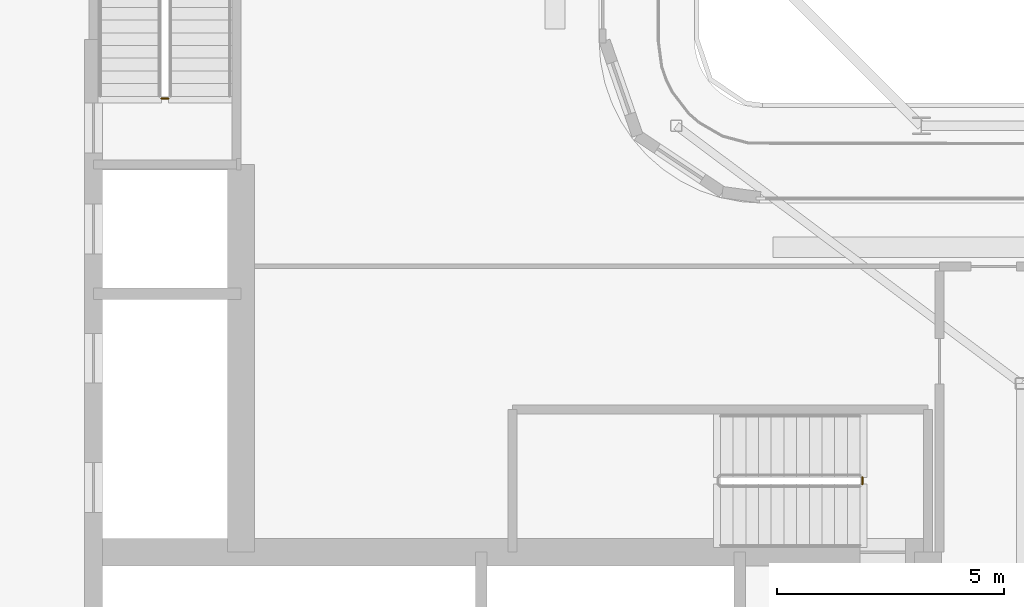
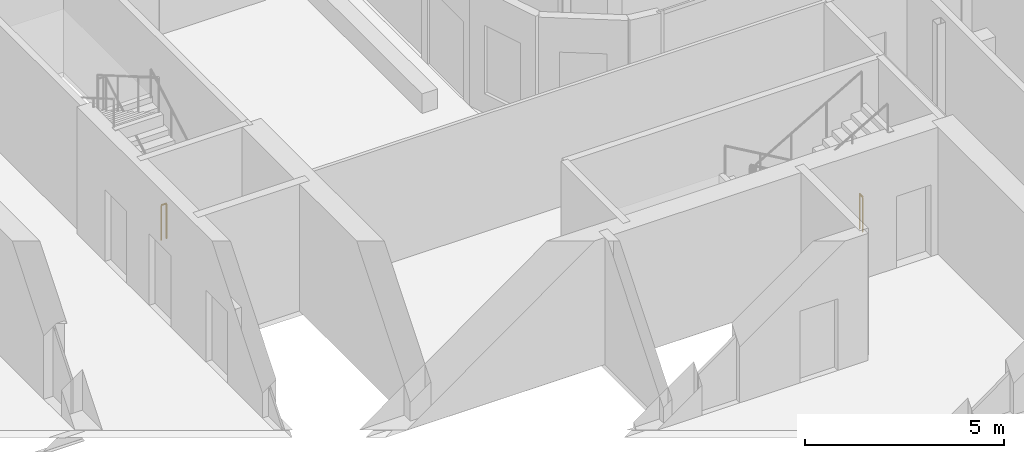
# One storey, part 17 of 21: 2 railings.
"""IFC4 building model written with IfcOpenShell, lengths in metres."""

from ifc_helpers import new_model, si_unit, direction, frame, origin, origin_2d, place, context, subcontext, project, spatial, circle, extrude, material, type_object, element, save


model = new_model("IFC4")

# Units and contexts
model_context = context("Model", 3, precision=1e-05, world=origin(), true_north=direction((0.0, 1.0)))
body_context = subcontext(model_context, "Body", "Model", "MODEL_VIEW")
ifc_project = project(units=[si_unit("LENGTHUNIT", "METRE"), si_unit("AREAUNIT", "SQUARE_METRE"), si_unit("VOLUMEUNIT", "CUBIC_METRE"), si_unit("PLANEANGLEUNIT", "RADIAN"), si_unit("MASSUNIT", "GRAM", prefix="KILO")], contexts=[model_context])

# Site, building, storey
site_placement = place(None, origin())
site = spatial("IfcSite", under=ifc_project, at=site_placement, CompositionType="ELEMENT")
building_placement = place(site_placement, origin())
building = spatial("IfcBuilding", under=site, at=building_placement, Name="Kheshtan School and Residences Tower", CompositionType="ELEMENT")
storey_placement = place(building_placement, frame((0.0, 0.0, 309.800048828125)))
storey = spatial("IfcBuildingStorey", under=building, at=storey_placement, Name="L73", CompositionType="ELEMENT", Elevation=309.800048828125)

# Railings
ifc_material = material(Name="Stainless steel balustrade", Category="steel")
railing_type = type_object("IfcRailingType", Name="Stair guard 1100", PredefinedType="GUARDRAIL", material=ifc_material)
railing_1_placement = place(storey_placement, frame((51.699951171875, 37.85009765625, 0.0)))
element("IfcRailing", 1, at=railing_1_placement, inside=storey, type_object=railing_type, Name="L73 ST1 stair guard 2", PredefinedType="GUARDRAIL", context=body_context, shape_type="SweptSolid", body=[
    extrude(circle(Radius=0.02392578125, at=origin_2d()), frame((0.0, 0.0, 1.076171875), z_axis=(0.0, -1.0, 0.0), x_axis=(1.0, 0.0, 0.0)), (0.0, 0.0, 1.0), 0.150146484375),
    extrude(circle(Radius=0.02099609375, at=origin_2d()), origin(), (0.0, 0.0, 1.0), 1.052001953125),
    extrude(circle(Radius=0.02099609375, at=origin_2d()), frame((0.0, -0.150146484375, 0.0)), (0.0, 0.0, 1.0), 1.052001953125),
])
railing_2_placement = place(storey_placement, frame((36.39990234375, 46.199951171875, 0.0)))
element("IfcRailing", 2, at=railing_2_placement, inside=storey, type_object=railing_type, Name="L73 ST2 stair guard 2", PredefinedType="GUARDRAIL", context=body_context, shape_type="SweptSolid", body=[
    extrude(circle(Radius=0.02392578125, at=origin_2d()), frame((0.0, 0.0, 1.076171875), z_axis=(-1.0, 0.0, 0.0), x_axis=(0.0, -1.0, 0.0)), (0.0, 0.0, 1.0), 0.14990234375),
    extrude(circle(Radius=0.02099609375, at=origin_2d()), origin(), (0.0, 0.0, 1.0), 1.052001953125),
    extrude(circle(Radius=0.02099609375, at=origin_2d()), frame((-0.14990234375, 0.0, 0.0)), (0.0, 0.0, 1.0), 1.052001953125),
])

save(model, "model.ifc")
